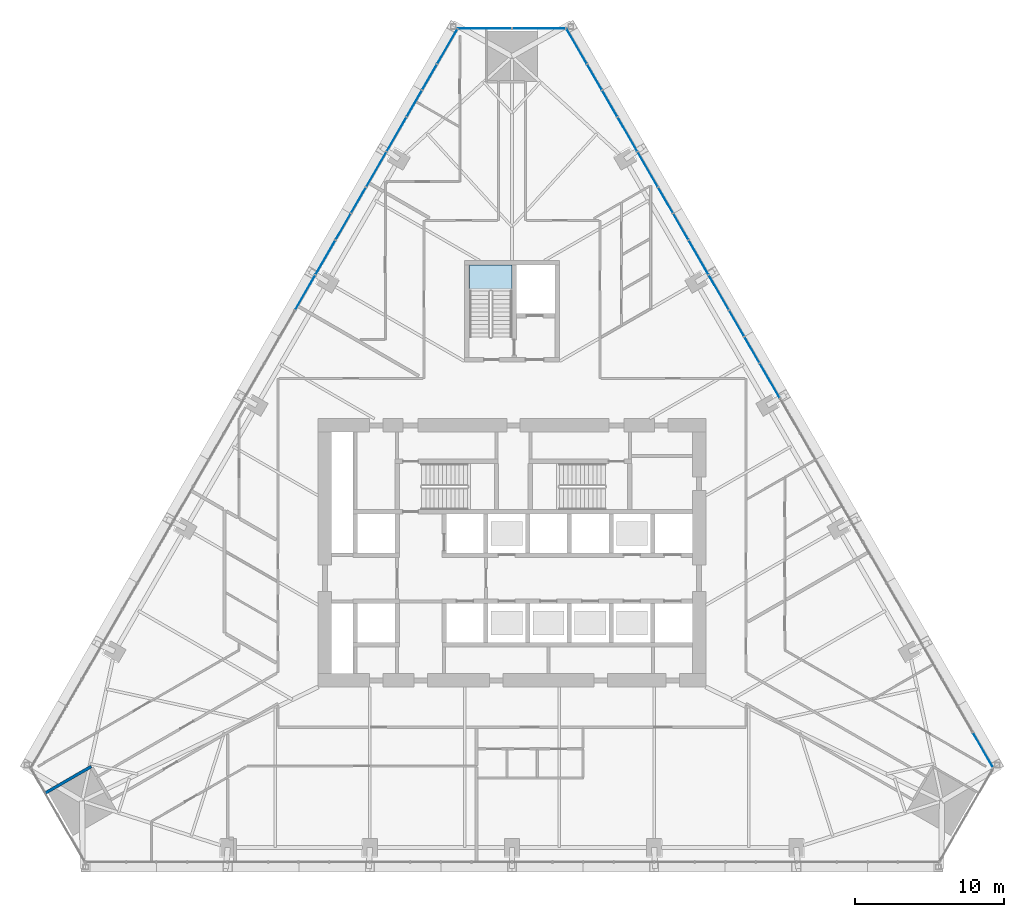
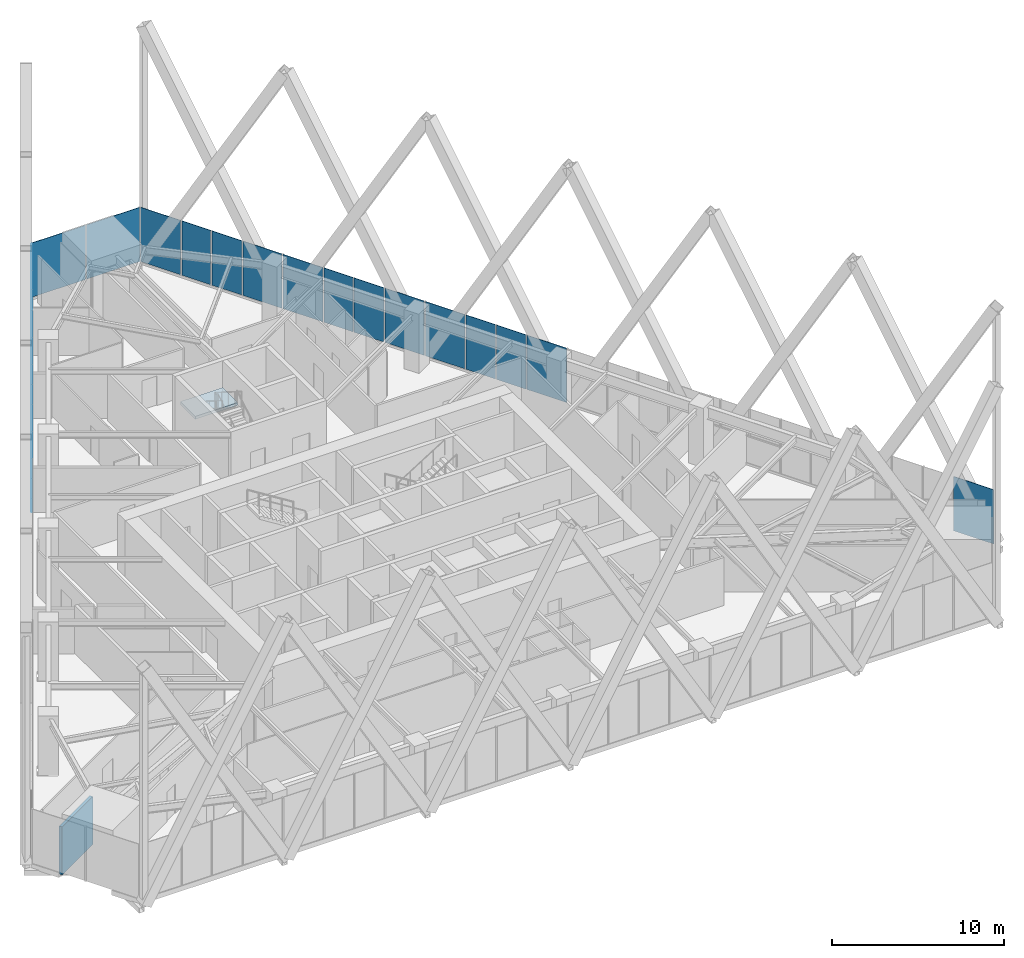
# One storey, part 16 of 23: 24 plates, 1 slab, 1 wall, 4 elements without a shape of their own.
"""IFC4 building model written with IfcOpenShell, lengths in metres."""

from ifc_helpers import new_model, si_unit, direction, frame, frame_2d, origin, place, context, subcontext, project, spatial, polyline, rectangle, outline, extrude, material, layer, layer_set, type_object, element, aggregate, save


model = new_model("IFC4")

# Units and contexts
model_context = context("Model", 3, precision=1e-05, world=origin(), true_north=direction((0.0, 1.0)))
body_context = subcontext(model_context, "Body", "Model", "MODEL_VIEW")
ifc_project = project(units=[si_unit("LENGTHUNIT", "METRE"), si_unit("AREAUNIT", "SQUARE_METRE"), si_unit("VOLUMEUNIT", "CUBIC_METRE"), si_unit("PLANEANGLEUNIT", "RADIAN"), si_unit("MASSUNIT", "GRAM", prefix="KILO")], contexts=[model_context])

# Site, building, storey
site_placement = place(None, origin())
site = spatial("IfcSite", under=ifc_project, at=site_placement, CompositionType="ELEMENT")
building_placement = place(site_placement, origin())
building = spatial("IfcBuilding", under=site, at=building_placement, Name="Firuza Gate Tower and Library", CompositionType="ELEMENT")
storey_placement = place(building_placement, frame((0.0, 0.0, 56.800048828125)))
storey = spatial("IfcBuildingStorey", under=building, at=storey_placement, Name="L12", CompositionType="ELEMENT", Elevation=56.800048828125)

# Curtain wall, plates
ifc_material_1 = material(Name="Aluminium 6063-T6", Category="aluminium")
ifc_layer_1 = layer(ifc_material_1, 0.14990234375)
ifc_layer_set_1 = layer_set([ifc_layer_1], Name="Corner curtain wall, chamfers")
curtain_wall_type_1 = type_object("IfcCurtainWallType", Name="Corner curtain wall, chamfers", PredefinedType="NOTDEFINED", material=ifc_layer_set_1)
placement = place(storey_placement, origin())
curtain_wall_1 = element("IfcCurtainWall", 1, at=placement, inside=storey, type_object=curtain_wall_type_1, Name="CW4 L12 N corner", PredefinedType="NOTDEFINED")
ifc_material_2 = material(Name="Fritted glass", Category="glass")
ifc_layer_2 = layer(ifc_material_2, 0.030029296875)
ifc_layer_set_2 = layer_set([ifc_layer_2], Name="Fritted glass unit, corners")
plate_type_1 = type_object("IfcPlateType", Name="Fritted glass unit, corners", PredefinedType="CURTAIN_PANEL", material=ifc_layer_set_2)
plate_1_placement = place(storey_placement, frame((78.603271484375, 110.19677734375, 0.14990234375), z_axis=(0.0, 1.0, 0.0), x_axis=(-1.0, 0.0, 0.0)))
plate_1 = element("IfcPlate", 2, at=plate_1_placement, type_object=plate_type_1, Name="Glass unit", PredefinedType="CURTAIN_PANEL", context=body_context, shape_type="SweptSolid", body=[
    extrude(outline(polyline([(0.0, 0.0), (3.563232421875, 0.0), (3.563232421875, 3.85009765625), (0.0, 3.85009765625), (0.0, 0.0)])), origin(), (0.0, 0.0, -1.0), 0.030029296875),
])
plate_2_placement = place(storey_placement, frame((74.9599609375, 110.19677734375, 0.14990234375), z_axis=(0.0, 1.0, 0.0), x_axis=(-1.0, 0.0, 0.0)))
plate_2 = element("IfcPlate", 3, at=plate_2_placement, type_object=plate_type_1, Name="Glass unit", PredefinedType="CURTAIN_PANEL", context=body_context, shape_type="SweptSolid", body=[
    extrude(outline(polyline([(0.0, 0.0), (3.563232421875, 0.0), (3.563232421875, 3.85009765625), (0.0, 3.85009765625), (0.0, 0.0)])), origin(), (0.0, 0.0, -1.0), 0.030029296875),
])
aggregate(curtain_wall_1, [plate_1, plate_2])

ifc_material_3 = material(Name="Aluminium 6063-T6", Category="aluminium")
ifc_layer_3 = layer(ifc_material_3, 0.14990234375)
ifc_layer_set_3 = layer_set([ifc_layer_3], Name="Unitised curtain wall, offices")
curtain_wall_type_2 = type_object("IfcCurtainWallType", Name="Unitised curtain wall, offices", PredefinedType="NOTDEFINED", material=ifc_layer_set_3)
curtain_wall_2 = element("IfcCurtainWall", 4, at=placement, inside=storey, type_object=curtain_wall_type_2, Name="CW1 L12 E face", PredefinedType="NOTDEFINED")
ifc_material_4 = material(Name="Fritted glass", Category="glass")
ifc_layer_4 = layer(ifc_material_4, 0.030029296875)
ifc_layer_set_4 = layer_set([ifc_layer_4], Name="Fritted glass unit, offices")
plate_type_2 = type_object("IfcPlateType", Name="Fritted glass unit, offices", PredefinedType="CURTAIN_PANEL", material=ifc_layer_set_4)
plate_3_placement = place(storey_placement, frame((91.600830078125, 87.7685546875, 0.14990234375), z_axis=(0.866023127892, 0.500003941941, 0.0), x_axis=(-0.500003941941, 0.866023127892, 0.0)))
plate_3 = element("IfcPlate", 5, at=plate_3_placement, type_object=plate_type_2, Name="Glass unit", PredefinedType="CURTAIN_PANEL", context=body_context, shape_type="SweptSolid", body=[
    extrude(outline(polyline([(0.0, 0.0), (1.977035194537148, 0.0), (1.977035194537148, 3.85009765625), (0.0, 3.85009765625), (0.0, 0.0)])), origin(), (0.0, 0.0, -1.0), 0.030029296875),
])
plate_4_placement = place(storey_placement, frame((90.572509765625, 89.550048828125, 0.14990234375), z_axis=(0.865968040721, 0.50009934258, 0.0), x_axis=(-0.50009934258, 0.865968040721, 0.0)))
plate_4 = element("IfcPlate", 6, at=plate_4_placement, type_object=plate_type_2, Name="Glass unit", PredefinedType="CURTAIN_PANEL", context=body_context, shape_type="SweptSolid", body=[
    extrude(outline(polyline([(0.0, 0.0), (1.9625007052329186, 0.0), (1.9625007052329186, 3.8500976562499996), (0.0, 3.8500976562499996), (0.0, 0.0)])), origin(), (0.0, 0.0, -1.0), 0.030029296875),
])
plate_5_placement = place(storey_placement, frame((86.833740234375, 96.025634765625, 0.14990234375), z_axis=(0.865993673742, 0.500054954019, 0.0), x_axis=(-0.500054954019, 0.865993673742, 0.0)))
plate_5 = element("IfcPlate", 7, at=plate_5_placement, type_object=plate_type_2, Name="Glass unit", PredefinedType="CURTAIN_PANEL", context=body_context, shape_type="SweptSolid", body=[
    extrude(outline(polyline([(0.0, 0.0), (1.99148033905189, 0.0), (1.99148033905189, 3.85009765625), (0.0, 3.85009765625), (0.0, 0.0)])), origin(), (0.0, 0.0, -1.0), 0.030029296875),
])
plate_6_placement = place(storey_placement, frame((85.7978515625, 97.819580078125, 0.14990234375), z_axis=(0.866052014814, 0.499953905513, 0.0), x_axis=(-0.499953905513, 0.866052014814, 0.0)))
plate_6 = element("IfcPlate", 8, at=plate_6_placement, type_object=plate_type_2, Name="Glass unit", PredefinedType="CURTAIN_PANEL", context=body_context, shape_type="SweptSolid", body=[
    extrude(outline(polyline([(0.0, 0.0), (1.9479334842411493, 0.0), (1.9479334842411493, 3.85009765625), (0.0, 3.85009765625), (0.0, 0.0)])), origin(), (0.0, 0.0, -1.0), 0.030029296875),
])
plate_7_placement = place(storey_placement, frame((82.06640625, 104.28271484375, 0.14990234375), z_axis=(0.866017348509, 0.500013951887, 0.0), x_axis=(-0.500013951887, 0.866017348509, 0.0)))
plate_7 = element("IfcPlate", 9, at=plate_7_placement, type_object=plate_type_2, Name="Glass unit", PredefinedType="CURTAIN_PANEL", context=body_context, shape_type="SweptSolid", body=[
    extrude(outline(polyline([(0.0, 0.0), (2.0058034055157354, 0.0), (2.0058034055157354, 3.85009765625), (0.0, 3.85009765625), (0.0, 0.0)])), origin(), (0.0, 0.0, -1.0), 0.030029296875),
])
plate_8_placement = place(storey_placement, frame((81.0234375, 106.089111328125, 0.14990234375), z_axis=(0.86602789119, 0.499995691662, 0.0), x_axis=(-0.499995691662, 0.86602789119, 0.0)))
plate_8 = element("IfcPlate", 10, at=plate_8_placement, type_object=plate_type_2, Name="Glass unit", PredefinedType="CURTAIN_PANEL", context=body_context, shape_type="SweptSolid", body=[
    extrude(outline(polyline([(0.0, 0.0), (1.9336104112928398, 0.0), (1.9336104112928398, 3.85009765625), (0.0, 3.85009765625), (0.0, 0.0)])), origin(), (0.0, 0.0, -1.0), 0.030029296875),
])

curtain_wall_3 = element("IfcCurtainWall", 11, at=placement, inside=storey, type_object=curtain_wall_type_2, Name="CW1 L12 W face", PredefinedType="NOTDEFINED")
plate_9_placement = place(storey_placement, frame((69.943359375, 107.763671875, 0.14990234375), z_axis=(-0.86602789119, 0.499995691662, 0.0), x_axis=(-0.499995691662, -0.86602789119, 0.0)))
plate_9 = element("IfcPlate", 12, at=plate_9_placement, type_object=plate_type_2, Name="Glass unit", PredefinedType="CURTAIN_PANEL", context=body_context, shape_type="SweptSolid", body=[
    extrude(outline(polyline([(0.0, 0.0), (1.9336104112928398, 0.0), (1.9336104112928398, 3.85009765625), (0.0, 3.85009765625), (0.0, 0.0)])), origin(), (0.0, 0.0, -1.0), 0.030029296875),
])
plate_10_placement = place(storey_placement, frame((68.9365234375, 106.019775390625, 0.14990234375), z_axis=(-0.866017348509, 0.500013951887, 0.0), x_axis=(-0.500013951887, -0.866017348509, 0.0)))
plate_10 = element("IfcPlate", 13, at=plate_10_placement, type_object=plate_type_2, Name="Glass unit", PredefinedType="CURTAIN_PANEL", context=body_context, shape_type="SweptSolid", body=[
    extrude(outline(polyline([(0.0, 0.0), (2.0058034055157354, 0.0), (2.0058034055157354, 3.85009765625), (0.0, 3.85009765625), (0.0, 0.0)])), origin(), (0.0, 0.0, -1.0), 0.030029296875),
])
plate_11_placement = place(storey_placement, frame((65.176025390625, 99.506591796875, 0.14990234375), z_axis=(-0.866052014814, 0.499953905513, 0.0), x_axis=(-0.499953905513, -0.866052014814, 0.0)))
plate_11 = element("IfcPlate", 14, at=plate_11_placement, type_object=plate_type_2, Name="Glass unit", PredefinedType="CURTAIN_PANEL", context=body_context, shape_type="SweptSolid", body=[
    extrude(outline(polyline([(0.0, 0.0), (1.9479334842411493, 0.0), (1.9479334842411493, 3.85009765625), (0.0, 3.85009765625), (0.0, 0.0)])), origin(), (0.0, 0.0, -1.0), 0.030029296875),
])
plate_12_placement = place(storey_placement, frame((64.162109375, 97.750244140625, 0.14990234375), z_axis=(-0.865993673742, 0.500054954019, 0.0), x_axis=(-0.500054954019, -0.865993673742, 0.0)))
plate_12 = element("IfcPlate", 15, at=plate_12_placement, type_object=plate_type_2, Name="Glass unit", PredefinedType="CURTAIN_PANEL", context=body_context, shape_type="SweptSolid", body=[
    extrude(outline(polyline([(0.0, 0.0), (1.99148033905189, 0.0), (1.99148033905189, 3.85009765625), (0.0, 3.85009765625), (0.0, 0.0)])), origin(), (0.0, 0.0, -1.0), 0.030029296875),
])

# Plate
ifc_material_5 = material(Name="Glazed ceramic tile")
ifc_layer_5 = layer(ifc_material_5, 0.030029296875)
ifc_layer_set_5 = layer_set([ifc_layer_5], Name="Opaque ceramic panel, offices")
plate_type_3 = type_object("IfcPlateType", Name="Opaque ceramic panel, offices", PredefinedType="CURTAIN_PANEL", material=ifc_layer_set_5)
plate_13_placement = place(storey_placement, frame((107.282958984375, 60.6064453125, 0.14990234375), z_axis=(0.866049104564, 0.499958946799, 0.0), x_axis=(-0.499958946799, 0.866049104564, 0.0)))
plate_13 = element("IfcPlate", 16, at=plate_13_placement, type_object=plate_type_3, Name="Opaque ceramic panel", PredefinedType="CURTAIN_PANEL", context=body_context, shape_type="SweptSolid", body=[
    extrude(outline(polyline([(0.0, 0.0), (2.6808841802557524, 0.0), (2.6808841802557524, 3.85009765625), (0.0, 3.85009765625), (0.0, 0.0)])), origin(), (0.0, 0.0, -1.0), 0.030029296875),
])

plate_14_placement = place(storey_placement, frame((92.959716796875, 85.415283203125, 0.14990234375), z_axis=(0.866012943183, 0.500021581774, 0.0), x_axis=(-0.500021581774, 0.866012943183, 0.0)))
plate_14 = element("IfcPlate", 17, at=plate_14_placement, type_object=plate_type_3, Name="Opaque ceramic panel", PredefinedType="CURTAIN_PANEL", context=body_context, shape_type="SweptSolid", body=[
    extrude(outline(polyline([(0.0, 0.0), (2.637581465127422, 0.0), (2.637581465127422, 3.85009765625), (0.0, 3.85009765625), (0.0, 0.0)])), origin(), (0.0, 0.0, -1.0), 0.030029296875),
])

plate_15_placement = place(storey_placement, frame((89.55126953125, 91.31884765625, 0.14990234375), z_axis=(0.865990880225, 0.500059791792, 0.0), x_axis=(-0.500059791792, 0.865990880225, 0.0)))
plate_15 = element("IfcPlate", 18, at=plate_15_placement, type_object=plate_type_3, Name="Opaque ceramic panel", PredefinedType="CURTAIN_PANEL", context=body_context, shape_type="SweptSolid", body=[
    extrude(outline(polyline([(0.0, 0.0), (2.6520266111550552, 0.0), (2.6520266111550552, 3.85009765625), (0.0, 3.85009765625), (0.0, 0.0)])), origin(), (0.0, 0.0, -1.0), 0.030029296875),
])

plate_16_placement = place(storey_placement, frame((88.185302734375, 93.684814453125, 0.14990234375), z_axis=(0.865994946027, 0.500052750672, 0.0), x_axis=(-0.500052750672, 0.865994946027, 0.0)))
plate_16 = element("IfcPlate", 19, at=plate_16_placement, type_object=plate_type_3, Name="Opaque ceramic panel", PredefinedType="CURTAIN_PANEL", context=body_context, shape_type="SweptSolid", body=[
    extrude(outline(polyline([(0.0, 0.0), (2.623258398961813, 0.0), (2.623258398961813, 3.85009765625), (0.0, 3.85009765625), (0.0, 0.0)])), origin(), (0.0, 0.0, -1.0), 0.030029296875),
])

plate_17_placement = place(storey_placement, frame((84.783935546875, 99.575927734375, 0.14990234375), z_axis=(0.866008705299, 0.50002892151, 0.0), x_axis=(-0.50002892151, 0.866008705299, 0.0)))
plate_17 = element("IfcPlate", 20, at=plate_17_placement, type_object=plate_type_3, Name="Opaque ceramic panel", PredefinedType="CURTAIN_PANEL", context=body_context, shape_type="SweptSolid", body=[
    extrude(outline(polyline([(0.0, 0.0), (2.666349676534054, 0.0), (2.666349676534054, 3.85009765625), (0.0, 3.85009765625), (0.0, 0.0)])), origin(), (0.0, 0.0, -1.0), 0.030029296875),
])

plate_18_placement = place(storey_placement, frame((83.41064453125, 101.954345703125, 0.14990234375), z_axis=(0.866057796917, 0.499943889251, 0.0), x_axis=(-0.499943889251, 0.866057796917, 0.0)))
plate_18 = element("IfcPlate", 21, at=plate_18_placement, type_object=plate_type_3, Name="Opaque ceramic panel", PredefinedType="CURTAIN_PANEL", context=body_context, shape_type="SweptSolid", body=[
    extrude(outline(polyline([(0.0, 0.0), (2.6086911887324202, 0.0), (2.6086911887324202, 3.85009765625), (0.0, 3.85009765625), (0.0, 0.0)])), origin(), (0.0, 0.0, -1.0), 0.030029296875),
])

plate_19_placement = place(storey_placement, frame((80.0166015625, 107.8330078125, 0.14990234375), z_axis=(0.866026338808, 0.499998380488, 0.0), x_axis=(-0.499998380488, 0.866026338808, 0.0)))
plate_19 = element("IfcPlate", 22, at=plate_19_placement, type_object=plate_type_3, Name="Opaque ceramic panel", PredefinedType="CURTAIN_PANEL", context=body_context, shape_type="SweptSolid", body=[
    extrude(outline(polyline([(0.0, 0.0), (2.6806727452649968, 0.0), (2.6806727452649968, 3.850097656250001), (0.0, 3.850097656250001), (0.0, 0.0)])), origin(), (0.0, 0.0, -1.0), 0.030029296875),
])

aggregate(curtain_wall_2, [plate_13, plate_14, plate_3, plate_4, plate_15, plate_16, plate_5, plate_6, plate_17, plate_18, plate_7, plate_8, plate_19])

plate_20_placement = place(storey_placement, frame((71.32373046875, 110.154541015625, 0.14990234375), z_axis=(-0.866026338808, 0.499998380488, 0.0), x_axis=(-0.499998380488, -0.866026338808, 0.0)))
plate_20 = element("IfcPlate", 23, at=plate_20_placement, type_object=plate_type_3, Name="Opaque ceramic panel", PredefinedType="CURTAIN_PANEL", context=body_context, shape_type="SweptSolid", body=[
    extrude(outline(polyline([(0.0, 0.0), (2.6806727452649968, 0.0), (2.6806727452649968, 3.850097656250001), (0.0, 3.850097656250001), (0.0, 0.0)])), origin(), (0.0, 0.0, -1.0), 0.030029296875),
])

plate_21_placement = place(storey_placement, frame((67.8935546875, 104.213623046875, 0.14990234375), z_axis=(-0.866057796917, 0.499943889251, 0.0), x_axis=(-0.499943889251, -0.866057796917, 0.0)))
plate_21 = element("IfcPlate", 24, at=plate_21_placement, type_object=plate_type_3, Name="Opaque ceramic panel", PredefinedType="CURTAIN_PANEL", context=body_context, shape_type="SweptSolid", body=[
    extrude(outline(polyline([(0.0, 0.0), (2.6086911887324202, 0.0), (2.6086911887324202, 3.85009765625), (0.0, 3.85009765625), (0.0, 0.0)])), origin(), (0.0, 0.0, -1.0), 0.030029296875),
])

plate_22_placement = place(storey_placement, frame((66.54931640625, 101.885009765625, 0.14990234375), z_axis=(-0.866008705299, 0.50002892151, 0.0), x_axis=(-0.50002892151, -0.866008705299, 0.0)))
plate_22 = element("IfcPlate", 25, at=plate_22_placement, type_object=plate_type_3, Name="Opaque ceramic panel", PredefinedType="CURTAIN_PANEL", context=body_context, shape_type="SweptSolid", body=[
    extrude(outline(polyline([(0.0, 0.0), (2.666349676534054, 0.0), (2.666349676534054, 3.85009765625), (0.0, 3.85009765625), (0.0, 0.0)])), origin(), (0.0, 0.0, -1.0), 0.030029296875),
])

plate_23_placement = place(storey_placement, frame((63.12646484375, 95.95654296875, 0.14990234375), z_axis=(-0.865994946027, 0.500052750672, 0.0), x_axis=(-0.500052750672, -0.865994946027, 0.0)))
plate_23 = element("IfcPlate", 26, at=plate_23_placement, type_object=plate_type_3, Name="Opaque ceramic panel", PredefinedType="CURTAIN_PANEL", context=body_context, shape_type="SweptSolid", body=[
    extrude(outline(polyline([(0.0, 0.0), (2.623258398961813, 0.0), (2.623258398961813, 3.85009765625), (0.0, 3.85009765625), (0.0, 0.0)])), origin(), (0.0, 0.0, -1.0), 0.030029296875),
])

plate_24_placement = place(storey_placement, frame((61.77490234375, 93.615478515625, 0.14990234375), z_axis=(-0.865990880225, 0.500059791792, 0.0), x_axis=(-0.500059791792, -0.865990880225, 0.0)))
plate_24 = element("IfcPlate", 27, at=plate_24_placement, type_object=plate_type_3, Name="Opaque ceramic panel", PredefinedType="CURTAIN_PANEL", context=body_context, shape_type="SweptSolid", body=[
    extrude(outline(polyline([(0.0, 0.0), (2.6520266111550552, 0.0), (2.6520266111550552, 3.85009765625), (0.0, 3.85009765625), (0.0, 0.0)])), origin(), (0.0, 0.0, -1.0), 0.030029296875),
])

aggregate(curtain_wall_3, [plate_20, plate_9, plate_10, plate_21, plate_22, plate_11, plate_12, plate_23, plate_24])

# Stair, slab
ifc_material_6 = material(Name="Concrete C35/45", Category="concrete")
stair_type = type_object("IfcStairType", Name="Exit stair ST14", PredefinedType="HALF_TURN_STAIR", material=ifc_material_6)
stair = element("IfcStair", 28, at=placement, inside=storey, type_object=stair_type, Name="L12 Stair ST3", PredefinedType="HALF_TURN_STAIR")
ifc_material_7 = material(Name="Concrete C35/45", Category="concrete")
ifc_layer_6 = layer(ifc_material_7, 0.199951171875)
ifc_layer_set_6 = layer_set([ifc_layer_6], Name="Stair landing 200")
slab_type = type_object("IfcSlabType", Name="Stair landing 200", PredefinedType="LANDING", material=ifc_layer_set_6)
slab_placement = place(storey_placement, frame((0.0, 0.0, 1.89990234375)))
slab = element("IfcSlab", 29, at=slab_placement, type_object=slab_type, Name="ST3 landing 1", PredefinedType="LANDING", context=body_context, shape_type="SweptSolid", body=[
    extrude(outline(polyline([(75.0, 92.550048828125), (75.0, 94.300048828125), (72.159912109375, 94.300048828125), (72.159912109375, 92.550048828125), (75.0, 92.550048828125)])), origin(), (0.0, 0.0, 1.0), 0.199951171875),
])
aggregate(stair, [slab])

# Wall
ifc_material_8 = material(Name="Gypsum board partition")
ifc_layer_7 = layer(ifc_material_8, 0.199951171875)
ifc_layer_set_7 = layer_set([ifc_layer_7], Name="Demising wall 200 acoustic double stud")
wall_type = type_object("IfcWallType", Name="Demising wall 200 acoustic double stud", PredefinedType="PARTITIONING", material=ifc_layer_set_7)
wall_placement = place(storey_placement, frame((43.69482421875, 58.888427734375, 0.0), z_axis=(0.0, 0.0, 1.0), x_axis=(0.866031398331, 0.499989616998, 0.0)))
element("IfcWall", 30, at=wall_placement, inside=storey, type_object=wall_type, Name="f:L12:w019", PredefinedType="PARTITIONING", context=body_context, shape_type="SweptSolid", body=[
    extrude(rectangle(XDim=3.5595703125, YDim=0.199951171875, at=frame_2d((1.77978515625, 0.0))), origin(), (0.0, 0.0, 1.0), 3.39990234375),
])

save(model, "model.ifc")
